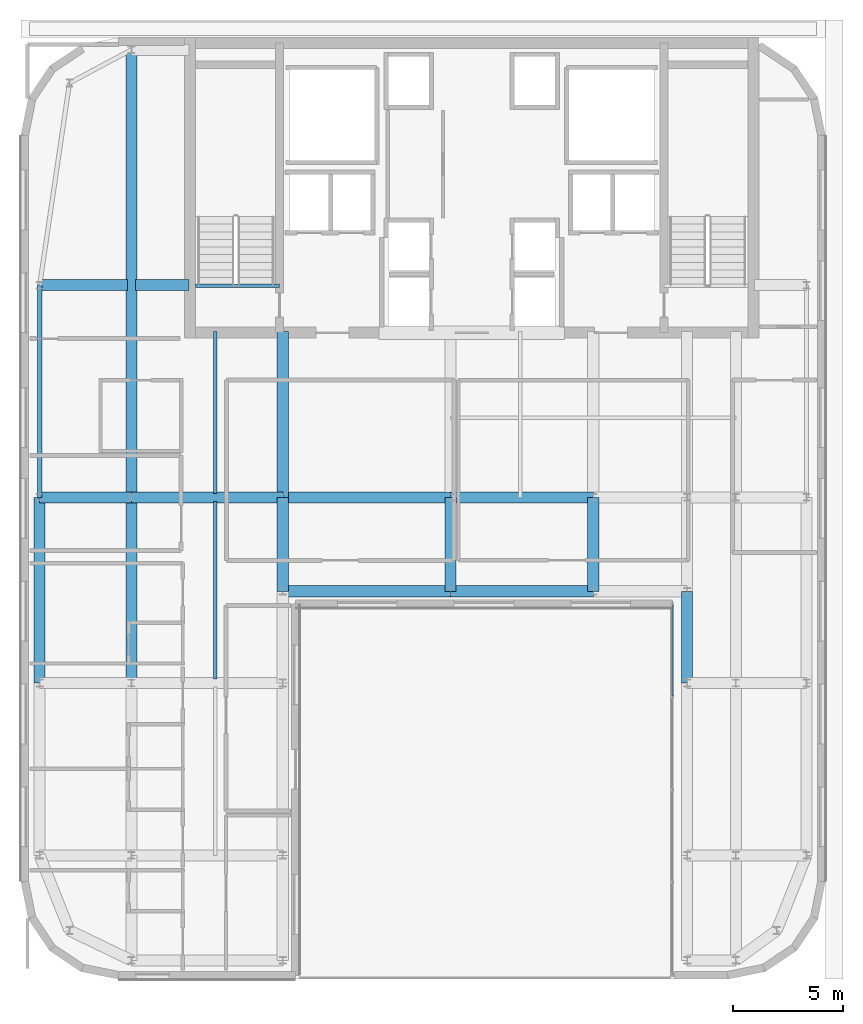
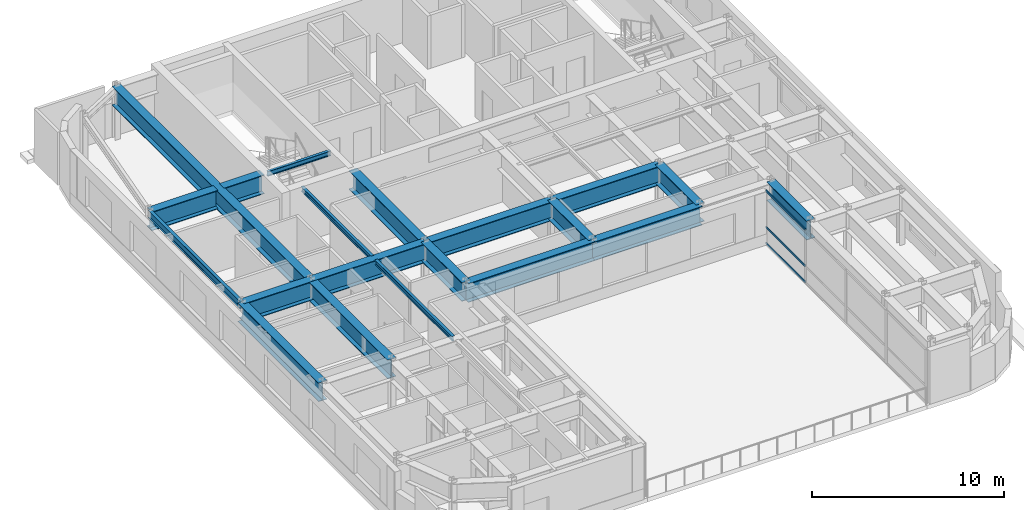
# One storey, part 5 of 16: 20 beams, 3 members, 1 element without a shape of its own.
"""IFC4 building model written with IfcOpenShell, lengths in metres."""

from ifc_helpers import new_model, si_unit, direction, frame, origin, origin_2d, place, context, subcontext, project, spatial, hollow_rectangle, i_section, extrude, source, transform, mapped, material, layer, layer_set, material_profile, profile_set, type_object, type_shapes, element, aggregate, save


model = new_model("IFC4")

# Units and contexts
model_context = context("Model", 3, precision=1e-05, world=origin(), true_north=direction((0.0, 1.0)))
body_context = subcontext(model_context, "Body", "Model", "MODEL_VIEW")
ifc_project = project(units=[si_unit("LENGTHUNIT", "METRE"), si_unit("AREAUNIT", "SQUARE_METRE"), si_unit("VOLUMEUNIT", "CUBIC_METRE"), si_unit("PLANEANGLEUNIT", "RADIAN"), si_unit("MASSUNIT", "GRAM", prefix="KILO")], contexts=[model_context])

# Site, building, storey
site_placement = place(None, origin())
site = spatial("IfcSite", under=ifc_project, at=site_placement, CompositionType="ELEMENT")
building_placement = place(site_placement, origin())
building = spatial("IfcBuilding", under=site, at=building_placement, Name="Tolvann Quenvar Hotel", CompositionType="ELEMENT")
storey_placement = place(building_placement, frame((0.0, 0.0, 241.64990234375)))
storey = spatial("IfcBuildingStorey", under=building, at=storey_placement, Name="L64", CompositionType="ELEMENT", Elevation=241.64990234375)

# Beams
ifc_material_1 = material(Name="Steel Grade 350", Category="steel")
ifc_material_profile_1 = material_profile(ifc_material_1, i_section(OverallWidth=0.5, OverallDepth=1.199951171875, WebThickness=0.01611328125, FlangeThickness=0.0400390625, at=origin_2d()), Name="1200WB455")
ifc_profile_set_1 = profile_set([ifc_material_profile_1], Name="Steel Grade 350")
beam_type_1 = type_object("IfcBeamType", Name="BM_TG_1200WB455", PredefinedType="USERDEFINED", material=ifc_profile_set_1)
shared_shape_1 = source(origin(), body_context, "Body", "SweptSolid", [
    extrude(i_section(OverallWidth=0.5, OverallDepth=1.199951171875, WebThickness=0.01611328125, FlangeThickness=0.0400390625, at=origin_2d()), origin(), (0.0, 0.0, 1.0), 7.5),
])
beam_1_placement = place(storey_placement, frame((14.449951171875, 24.39990234375, 2.77001953125), z_axis=(0.0, 1.0, 0.0), x_axis=(-1.0, 0.0, 0.0)))
element("IfcBeam", 1, at=beam_1_placement, inside=storey, type_object=beam_type_1, Name="BM-L64-CORE-D5", ObjectType="TRANSFER GIRDER", PredefinedType="USERDEFINED", context=body_context, shape_type="MappedRepresentation", body=[
    mapped(shared_shape_1, transform((0.0, 0.0, 0.0), x_axis=(1.0, 0.0, 0.0), y_axis=(0.0, 1.0, 0.0), z_axis=(0.0, 0.0, 1.0), scale=1.0)),
])
shared_shape_2 = source(origin(), body_context, "Body", "SweptSolid", [
    extrude(i_section(OverallWidth=0.5, OverallDepth=1.199951171875, WebThickness=0.01611328125, FlangeThickness=0.0400390625, at=origin_2d()), origin(), (0.0, 0.0, 1.0), 6.449951171875),
])
for number, where, z_axis, x_axis, name in (
    (2, (22.050048828125, 20.14990234375, 2.77001953125), (1.0, 0.0, 0.0), (0.0, 1.0, 0.0), "BM-L64-EW-4P-E4P-M4P"),
    (3, (22.050048828125, 24.39990234375, 2.77001953125), (1.0, 0.0, 0.0), (0.0, 1.0, 0.0), "BM-L64-EW-5-E5-M5"),
):
    element("IfcBeam", number, at=place(storey_placement, frame(where, z_axis=z_axis, x_axis=x_axis)), inside=storey, type_object=beam_type_1, Name=name, ObjectType="TRANSFER GIRDER", PredefinedType="USERDEFINED", context=body_context, shape_type="MappedRepresentation", body=[
        mapped(shared_shape_2, transform((0.0, 0.0, 0.0), x_axis=(1.0, 0.0, 0.0), y_axis=(0.0, 1.0, 0.0), z_axis=(0.0, 0.0, 1.0), scale=1.0)),
    ])
shared_shape_3 = source(origin(), body_context, "Body", "SweptSolid", [
    extrude(i_section(OverallWidth=0.5, OverallDepth=1.199951171875, WebThickness=0.01611328125, FlangeThickness=0.0400390625, at=origin_2d()), origin(), (0.0, 0.0, 1.0), 2.419921875),
])
beam_2_placement = place(storey_placement, frame((7.780029296875, 34.0, 2.77001953125), z_axis=(1.0, 0.0, 0.0), x_axis=(0.0, 1.0, 0.0)))
element("IfcBeam", 4, at=beam_2_placement, inside=storey, type_object=beam_type_1, Name="BM-L64-CTW-MID2", ObjectType="TRANSFER GIRDER", PredefinedType="USERDEFINED", context=body_context, shape_type="MappedRepresentation", body=[
    mapped(shared_shape_3, transform((0.0, 0.0, 0.0), x_axis=(1.0, 0.0, 0.0), y_axis=(0.0, 1.0, 0.0), z_axis=(0.0, 0.0, 1.0), scale=1.0)),
])
ifc_material_profile_2 = material_profile(ifc_material_1, i_section(OverallWidth=0.166015625, OverallDepth=0.306884765625, WebThickness=0.006591796875, FlangeThickness=0.01171875, FilletRadius=0.011474609375, at=origin_2d()), Name="310UB46")
ifc_profile_set_2 = profile_set([ifc_material_profile_2], Name="Steel Grade 350")
beam_type_2 = type_object("IfcBeamType", Name="BM_JOIST_310UB46", PredefinedType="JOIST", material=ifc_profile_set_2)
shared_shape_4 = source(origin(), body_context, "Body", "SweptSolid", [
    extrude(i_section(OverallWidth=0.166015625, OverallDepth=0.306884765625, WebThickness=0.006591796875, FlangeThickness=0.01171875, FilletRadius=0.011474609375, at=origin_2d()), origin(), (0.0, 0.0, 1.0), 3.800048828125),
])
beam_3_placement = place(storey_placement, frame((10.5, 33.97998046875, 3.216552734375), z_axis=(1.0, 0.0, 0.0), x_axis=(0.0, 1.0, 0.0)))
element("IfcBeam", 5, at=beam_3_placement, inside=storey, type_object=beam_type_2, Name="BM-HDR-STC1-L65", PredefinedType="JOIST", context=body_context, shape_type="MappedRepresentation", body=[
    mapped(shared_shape_4, transform((0.0, 0.0, 0.0), x_axis=(1.0, 0.0, 0.0), y_axis=(0.0, 1.0, 0.0), z_axis=(0.0, 0.0, 1.0), scale=1.0)),
])
shared_shape_5 = source(origin(), body_context, "Body", "SweptSolid", [
    extrude(i_section(OverallWidth=0.5, OverallDepth=1.199951171875, WebThickness=0.01611328125, FlangeThickness=0.0400390625, at=origin_2d()), origin(), (0.0, 0.0, 1.0), 4.150146484375),
])
beam_4_placement = place(storey_placement, frame((3.449951171875, 24.39990234375, 2.77001953125), z_axis=(1.0, 0.0, 0.0), x_axis=(0.0, 1.0, 0.0)))
element("IfcBeam", 6, at=beam_4_placement, inside=storey, type_object=beam_type_1, Name="BM-L64-EW-5-B5-C5", ObjectType="TRANSFER GIRDER", PredefinedType="USERDEFINED", context=body_context, shape_type="MappedRepresentation", body=[
    mapped(shared_shape_5, transform((0.0, 0.0, 0.0), x_axis=(1.0, 0.0, 0.0), y_axis=(0.0, 1.0, 0.0), z_axis=(0.0, 0.0, 1.0), scale=1.0)),
])
shared_shape_6 = source(origin(), body_context, "Body", "SweptSolid", [
    extrude(i_section(OverallWidth=0.5, OverallDepth=1.199951171875, WebThickness=0.01611328125, FlangeThickness=0.0400390625, at=origin_2d()), origin(), (0.0, 0.0, 1.0), 8.39990234375),
])
for number, where, z_axis, x_axis, name in (
    (7, (3.449951171875, 16.0, 2.77001953125), (0.0, 1.0, 0.0), (-1.0, 0.0, 0.0), "BM-L64-NS-B4-B5"),
    (8, (7.60009765625, 16.0, 2.77001953125), (0.0, 1.0, 0.0), (-1.0, 0.0, 0.0), "BM-L64-NS-C4-C5"),
):
    element("IfcBeam", number, at=place(storey_placement, frame(where, z_axis=z_axis, x_axis=x_axis)), inside=storey, type_object=beam_type_1, Name=name, ObjectType="TRANSFER GIRDER", PredefinedType="USERDEFINED", context=body_context, shape_type="MappedRepresentation", body=[
        mapped(shared_shape_6, transform((0.0, 0.0, 0.0), x_axis=(1.0, 0.0, 0.0), y_axis=(0.0, 1.0, 0.0), z_axis=(0.0, 0.0, 1.0), scale=1.0)),
    ])
shared_shape_7 = source(origin(), body_context, "Body", "SweptSolid", [
    extrude(i_section(OverallWidth=0.5, OverallDepth=1.199951171875, WebThickness=0.01611328125, FlangeThickness=0.0400390625, at=origin_2d()), origin(), (0.0, 0.0, 1.0), 3.969970703125),
])
beam_5_placement = place(storey_placement, frame((3.449951171875, 34.0, 2.77001953125), z_axis=(1.0, 0.0, 0.0), x_axis=(0.0, 1.0, 0.0)))
element("IfcBeam", 9, at=beam_5_placement, inside=storey, type_object=beam_type_1, Name="BM-L64-CTW-MID1", ObjectType="TRANSFER GIRDER", PredefinedType="USERDEFINED", context=body_context, shape_type="MappedRepresentation", body=[
    mapped(shared_shape_7, transform((0.0, 0.0, 0.0), x_axis=(1.0, 0.0, 0.0), y_axis=(0.0, 1.0, 0.0), z_axis=(0.0, 0.0, 1.0), scale=1.0)),
])
ifc_material_profile_3 = material_profile(ifc_material_1, i_section(OverallWidth=0.19091796875, OverallDepth=0.4599609375, WebThickness=0.010009765625, FlangeThickness=0.01611328125, FilletRadius=0.011474609375, at=origin_2d()), Name="460UB82")
ifc_profile_set_3 = profile_set([ifc_material_profile_3], Name="Steel Grade 350")
beam_type_3 = type_object("IfcBeamType", Name="BM_SPAND_460UB82", PredefinedType="SPANDREL", material=ifc_profile_set_3)
shared_shape_8 = source(origin(), body_context, "Body", "SweptSolid", [
    extrude(i_section(OverallWidth=0.19091796875, OverallDepth=0.4599609375, WebThickness=0.010009765625, FlangeThickness=0.01611328125, FilletRadius=0.011474609375, at=origin_2d()), origin(), (0.0, 0.0, 1.0), 9.60009765625),
])
type_shapes(beam_type_3, [shared_shape_8])
beam_6_placement = place(storey_placement, frame((3.449951171875, 24.39990234375, 3.14013671875), z_axis=(0.0, 1.0, 0.0), x_axis=(-1.0, 0.0, 0.0)))
element("IfcBeam", 10, at=beam_6_placement, inside=storey, type_object=beam_type_3, Name="BM-L64-FLK-W1", PredefinedType="SPANDREL", context=body_context, shape_type="MappedRepresentation", body=[
    mapped(shared_shape_8, transform((0.0, 0.0, 0.0), x_axis=(1.0, 0.0, 0.0), y_axis=(0.0, 1.0, 0.0), z_axis=(0.0, 0.0, 1.0), scale=1.0)),
])
shared_shape_9 = source(origin(), body_context, "Body", "SweptSolid", [
    extrude(i_section(OverallWidth=0.5, OverallDepth=1.199951171875, WebThickness=0.01611328125, FlangeThickness=0.0400390625, at=origin_2d()), origin(), (0.0, 0.0, 1.0), 6.849853515625),
])
beam_7_placement = place(storey_placement, frame((7.60009765625, 24.39990234375, 2.77001953125), z_axis=(1.0, 0.0, 0.0), x_axis=(0.0, 1.0, 0.0)))
element("IfcBeam", 11, at=beam_7_placement, inside=storey, type_object=beam_type_1, Name="BM-L64-EW-5-C5-D5", ObjectType="TRANSFER GIRDER", PredefinedType="USERDEFINED", context=body_context, shape_type="MappedRepresentation", body=[
    mapped(shared_shape_9, transform((0.0, 0.0, 0.0), x_axis=(1.0, 0.0, 0.0), y_axis=(0.0, 1.0, 0.0), z_axis=(0.0, 0.0, 1.0), scale=1.0)),
])
shared_shape_10 = source(origin(), body_context, "Body", "SweptSolid", [
    extrude(i_section(OverallWidth=0.5, OverallDepth=1.199951171875, WebThickness=0.01611328125, FlangeThickness=0.0400390625, at=origin_2d()), origin(), (0.0, 0.0, 1.0), 7.60009765625),
])
for number, where, z_axis, x_axis, name in (
    (12, (14.449951171875, 20.14990234375, 2.77001953125), (1.0, 0.0, 0.0), (0.0, 1.0, 0.0), "BM-L64-EW-4P-D4P-E4P"),
    (13, (14.449951171875, 24.39990234375, 2.77001953125), (1.0, 0.0, 0.0), (0.0, 1.0, 0.0), "BM-L64-EW-5-D5-E5"),
):
    element("IfcBeam", number, at=place(storey_placement, frame(where, z_axis=z_axis, x_axis=x_axis)), inside=storey, type_object=beam_type_1, Name=name, ObjectType="TRANSFER GIRDER", PredefinedType="USERDEFINED", context=body_context, shape_type="MappedRepresentation", body=[
        mapped(shared_shape_10, transform((0.0, 0.0, 0.0), x_axis=(1.0, 0.0, 0.0), y_axis=(0.0, 1.0, 0.0), z_axis=(0.0, 0.0, 1.0), scale=1.0)),
    ])
shared_shape_11 = source(origin(), body_context, "Body", "SweptSolid", [
    extrude(i_section(OverallWidth=0.5, OverallDepth=1.199951171875, WebThickness=0.01611328125, FlangeThickness=0.0400390625, at=origin_2d()), origin(), (0.0, 0.0, 1.0), 4.25),
])
for number, where, z_axis, x_axis, name in (
    (14, (14.449951171875, 20.14990234375, 2.77001953125), (0.0, 1.0, 0.0), (-1.0, 0.0, 0.0), "BM-L64-NS-D4P-D5"),
    (15, (22.050048828125, 20.14990234375, 2.77001953125), (0.0, 1.0, 0.0), (-1.0, 0.0, 0.0), "BM-L64-NS-E4P-E5"),
    (16, (28.5, 20.14990234375, 2.77001953125), (0.0, 1.0, 0.0), (-1.0, 0.0, 0.0), "BM-L64-NS-M4P-M5"),
):
    element("IfcBeam", number, at=place(storey_placement, frame(where, z_axis=z_axis, x_axis=x_axis)), inside=storey, type_object=beam_type_1, Name=name, ObjectType="TRANSFER GIRDER", PredefinedType="USERDEFINED", context=body_context, shape_type="MappedRepresentation", body=[
        mapped(shared_shape_11, transform((0.0, 0.0, 0.0), x_axis=(1.0, 0.0, 0.0), y_axis=(0.0, 1.0, 0.0), z_axis=(0.0, 0.0, 1.0), scale=1.0)),
    ])
shared_shape_12 = source(origin(), body_context, "Body", "SweptSolid", [
    extrude(i_section(OverallWidth=0.5, OverallDepth=1.199951171875, WebThickness=0.01611328125, FlangeThickness=0.0400390625, at=origin_2d()), origin(), (0.0, 0.0, 1.0), 4.14990234375),
])
beam_8_placement = place(storey_placement, frame((32.75, 16.0, 2.77001953125), z_axis=(0.0, 1.0, 0.0), x_axis=(-1.0, 0.0, 0.0)))
element("IfcBeam", 17, at=beam_8_placement, inside=storey, type_object=beam_type_1, Name="BM-L64-NS-FP4-FP4P", ObjectType="TRANSFER GIRDER", PredefinedType="USERDEFINED", context=body_context, shape_type="MappedRepresentation", body=[
    mapped(shared_shape_12, transform((0.0, 0.0, 0.0), x_axis=(1.0, 0.0, 0.0), y_axis=(0.0, 1.0, 0.0), z_axis=(0.0, 0.0, 1.0), scale=1.0)),
])
shared_shape_13 = source(origin(), body_context, "Body", "SweptSolid", [
    extrude(i_section(OverallWidth=0.5, OverallDepth=1.199951171875, WebThickness=0.01611328125, FlangeThickness=0.0400390625, at=origin_2d()), origin(), (0.0, 0.0, 1.0), 20.25),
])
type_shapes(beam_type_1, [shared_shape_1, shared_shape_2, shared_shape_3, shared_shape_5, shared_shape_6, shared_shape_7, shared_shape_9, shared_shape_10, shared_shape_11, shared_shape_12, shared_shape_13])
beam_9_placement = place(storey_placement, frame((7.60009765625, 24.39990234375, 2.77001953125), z_axis=(0.0, 1.0, 0.0), x_axis=(-1.0, 0.0, 0.0)))
element("IfcBeam", 18, at=beam_9_placement, inside=storey, type_object=beam_type_1, Name="BM-L64-FLK-WC", ObjectType="TRANSFER GIRDER", PredefinedType="USERDEFINED", context=body_context, shape_type="MappedRepresentation", body=[
    mapped(shared_shape_13, transform((0.0, 0.0, 0.0), x_axis=(1.0, 0.0, 0.0), y_axis=(0.0, 1.0, 0.0), z_axis=(0.0, 0.0, 1.0), scale=1.0)),
])
shared_shape_14 = source(origin(), body_context, "Body", "SweptSolid", [
    extrude(i_section(OverallWidth=0.166015625, OverallDepth=0.306884765625, WebThickness=0.006591796875, FlangeThickness=0.01171875, FilletRadius=0.011474609375, at=origin_2d()), origin(), (0.0, 0.0, 1.0), 8.030029296875),
])
beam_10_placement = place(storey_placement, frame((11.39990234375, 16.18505859375, 3.216552734375), z_axis=(0.0, 1.0, 0.0), x_axis=(-1.0, 0.0, 0.0)))
element("IfcBeam", 19, at=beam_10_placement, inside=storey, type_object=beam_type_2, Name="BJ-L64-114-160", PredefinedType="JOIST", context=body_context, shape_type="MappedRepresentation", body=[
    mapped(shared_shape_14, transform((0.0, 0.0, 0.0), x_axis=(1.0, 0.0, 0.0), y_axis=(0.0, 1.0, 0.0), z_axis=(0.0, 0.0, 1.0), scale=1.0)),
])
shared_shape_15 = source(origin(), body_context, "Body", "SweptSolid", [
    extrude(i_section(OverallWidth=0.166015625, OverallDepth=0.306884765625, WebThickness=0.006591796875, FlangeThickness=0.01171875, FilletRadius=0.011474609375, at=origin_2d()), origin(), (0.0, 0.0, 1.0), 7.31494140625),
])
type_shapes(beam_type_2, [shared_shape_4, shared_shape_14, shared_shape_15])
beam_11_placement = place(storey_placement, frame((11.39990234375, 24.5849609375, 3.216552734375), z_axis=(0.0, 1.0, 0.0), x_axis=(-1.0, 0.0, 0.0)))
element("IfcBeam", 20, at=beam_11_placement, inside=storey, type_object=beam_type_2, Name="BJ-L64-114-244", PredefinedType="JOIST", context=body_context, shape_type="MappedRepresentation", body=[
    mapped(shared_shape_15, transform((0.0, 0.0, 0.0), x_axis=(1.0, 0.0, 0.0), y_axis=(0.0, 1.0, 0.0), z_axis=(0.0, 0.0, 1.0), scale=1.0)),
])

# Curtain wall, members
ifc_material_2 = material(Name="Thermally broken anodised architectural aluminium 6063-T6 and laminated low-E glass", Category="aluminium")
ifc_layer = layer(ifc_material_2, 0.179931640625)
ifc_layer_set = layer_set([ifc_layer], Name="Thermally broken anodised architectural aluminium 6063-T6 and laminated low-E glass")
curtain_wall_type = type_object("IfcCurtainWallType", Name="CW_SYS_PORTAL_05", PredefinedType="USERDEFINED", material=ifc_layer_set)
curtain_wall_placement = place(storey_placement, origin())
curtain_wall = element("IfcCurtainWall", 21, at=curtain_wall_placement, inside=storey, type_object=curtain_wall_type, Name="Curtain Wall CW-PORTAL-05 (CWR-L64-E07)", ObjectType="UNITISED CURTAIN WALL", PredefinedType="USERDEFINED")
ifc_material_3 = material(Name="Anodised architectural aluminium 6063-T6 framing", Category="aluminium")
ifc_material_profile_4 = material_profile(ifc_material_3, hollow_rectangle(XDim=0.06005859375, YDim=0.1201171875, WallThickness=0.00341796875, at=origin_2d()), Name="120x60x3.5RHS")
ifc_profile_set_4 = profile_set([ifc_material_profile_4], Name="Anodised architectural aluminium 6063-T6 framing")
member_type = type_object("IfcMemberType", Name="CW_TRAN_120x60", PredefinedType="USERDEFINED", material=ifc_profile_set_4)
shared_shape_16 = source(origin(), body_context, "Body", "SweptSolid", [
    extrude(hollow_rectangle(XDim=0.06005859375, YDim=0.1201171875, WallThickness=0.00341796875, at=origin_2d()), origin(), (0.0, 0.0, 1.0), 4.094970703125),
])
type_shapes(member_type, [shared_shape_16])
member_1_placement = place(storey_placement, frame((32.090087890625, 19.5048828125, 0.030029296875), z_axis=(0.0, -1.0, 0.0), x_axis=(1.0, 0.0, 0.0)))
member_1 = element("IfcMember", 22, at=member_1_placement, type_object=member_type, Name="CW-PORTAL-05 transom 1.1", ObjectType="TRANSOM", PredefinedType="USERDEFINED", context=body_context, shape_type="MappedRepresentation", body=[
    mapped(shared_shape_16, transform((0.0, 0.0, 0.0), x_axis=(1.0, 0.0, 0.0), y_axis=(0.0, 1.0, 0.0), z_axis=(0.0, 0.0, 1.0), scale=1.0)),
])
member_2_placement = place(storey_placement, frame((32.090087890625, 19.5048828125, 1.050048828125), z_axis=(0.0, -1.0, 0.0), x_axis=(1.0, 0.0, 0.0)))
member_2 = element("IfcMember", 23, at=member_2_placement, type_object=member_type, Name="CW-PORTAL-05 transom 1.2", ObjectType="TRANSOM", PredefinedType="USERDEFINED", context=body_context, shape_type="MappedRepresentation", body=[
    mapped(shared_shape_16, transform((0.0, 0.0, 0.0), x_axis=(1.0, 0.0, 0.0), y_axis=(0.0, 1.0, 0.0), z_axis=(0.0, 0.0, 1.0), scale=1.0)),
])
member_3_placement = place(storey_placement, frame((32.090087890625, 19.5048828125, 3.340087890625), z_axis=(0.0, -1.0, 0.0), x_axis=(1.0, 0.0, 0.0)))
member_3 = element("IfcMember", 24, at=member_3_placement, type_object=member_type, Name="CW-PORTAL-05 transom 1.3", ObjectType="TRANSOM", PredefinedType="USERDEFINED", context=body_context, shape_type="MappedRepresentation", body=[
    mapped(shared_shape_16, transform((0.0, 0.0, 0.0), x_axis=(1.0, 0.0, 0.0), y_axis=(0.0, 1.0, 0.0), z_axis=(0.0, 0.0, 1.0), scale=1.0)),
])
aggregate(curtain_wall, [member_1, member_2, member_3])

save(model, "model.ifc")
